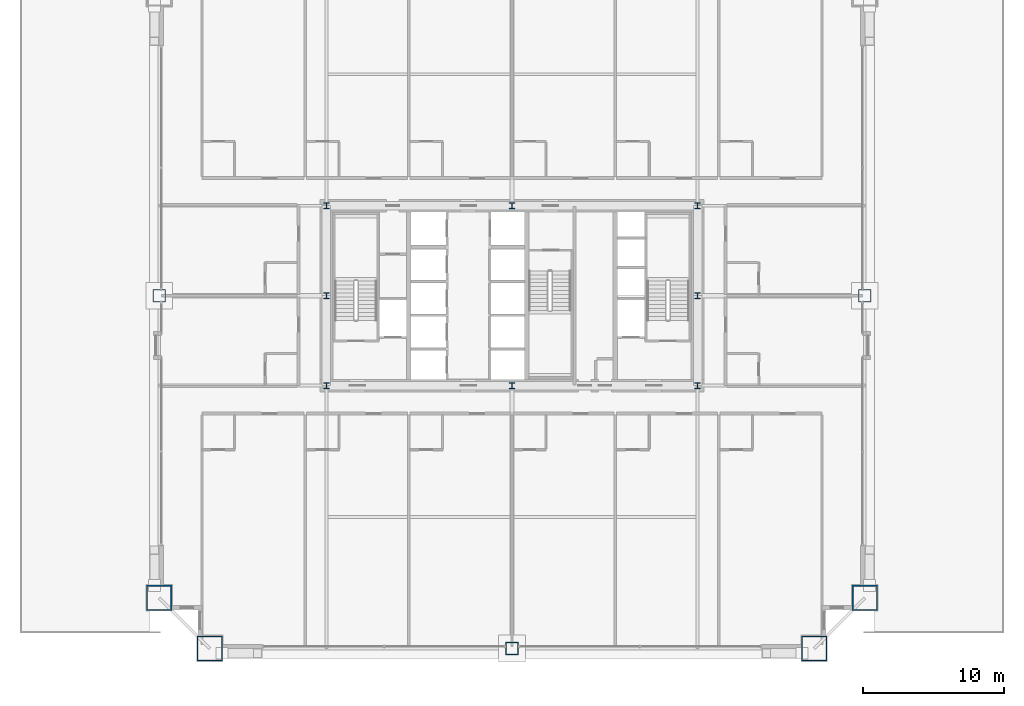
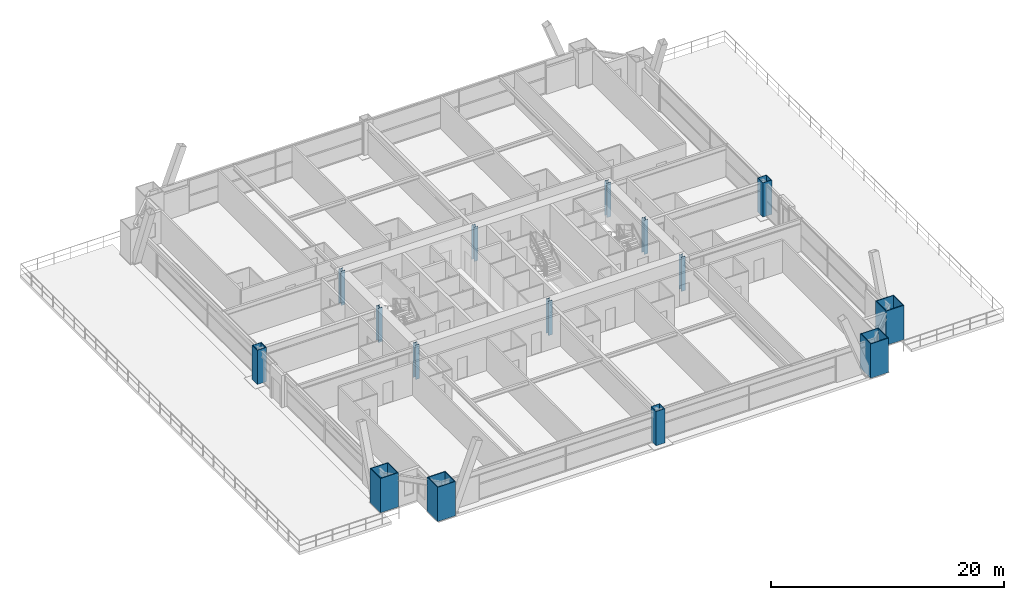
# One storey, part 1 of 45: 15 columns.
"""IFC4 building model written with IfcOpenShell, lengths in metres."""

from ifc_helpers import new_model, si_unit, direction, frame, origin, origin_2d, place, context, subcontext, project, spatial, hollow_rectangle, i_section, extrude, source, transform, mapped, material, material_profile, profile_set, type_object, element, save


model = new_model("IFC4")

# Units and contexts
model_context = context("Model", 3, precision=1e-05, world=origin(), true_north=direction((0.0, 1.0)))
body_context = subcontext(model_context, "Body", "Model", "MODEL_VIEW")
ifc_project = project(units=[si_unit("LENGTHUNIT", "METRE"), si_unit("AREAUNIT", "SQUARE_METRE"), si_unit("VOLUMEUNIT", "CUBIC_METRE"), si_unit("PLANEANGLEUNIT", "RADIAN"), si_unit("MASSUNIT", "GRAM", prefix="KILO"), si_unit("THERMODYNAMICTEMPERATUREUNIT", "KELVIN"), si_unit("POWERUNIT", "WATT")], contexts=[model_context])

# Site, building, storey
site_placement = place(None, origin())
site = spatial("IfcSite", under=ifc_project, at=site_placement, CompositionType="ELEMENT")
building_placement = place(site_placement, origin())
building = spatial("IfcBuilding", under=site, at=building_placement, Name="Yuzanri Waterfront Tower", CompositionType="ELEMENT")
storey_placement = place(building_placement, frame((0.0, 0.0, 30.60009765625)))
storey = spatial("IfcBuildingStorey", under=building, at=storey_placement, Name="L07", CompositionType="ELEMENT", Elevation=30.60009765625)

# Columns
ifc_material_1 = material(Name="Steel Q355B", Category="steel")
ifc_material_profile_1 = material_profile(ifc_material_1, i_section(OverallWidth=0.406982421875, OverallDepth=0.427978515625, WebThickness=0.02001953125, FlangeThickness=0.034912109375, at=origin_2d()), Name="HW 428x407x20x35")
ifc_profile_set_1 = profile_set([ifc_material_profile_1], Name="Steel Q355B")
column_type_1 = type_object("IfcColumnType", Name="Core Post Q355B HW 428x407x20x35", PredefinedType="COLUMN", material=ifc_profile_set_1)
shared_shape_1 = source(origin(), body_context, "Body", "SweptSolid", [
    extrude(i_section(OverallWidth=0.406982421875, OverallDepth=0.427978515625, WebThickness=0.02001953125, FlangeThickness=0.034912109375, at=origin_2d()), origin(), (0.0, 0.0, 1.0), 3.599853515625),
])
for number, where, z_axis, x_axis, name in (
    (1, (23.800048828125, 19.39990234375, 0.0), (0.0, 0.0, 1.0), (1.0, 0.0, 0.0), "L07 Core Boundary Column CP1"),
    (2, (37.0, 19.39990234375, 0.0), (0.0, 0.0, 1.0), (1.0, 0.0, 0.0), "L07 Core Boundary Column CP2"),
    (3, (50.199951171875, 19.39990234375, 0.0), (0.0, 0.0, 1.0), (1.0, 0.0, 0.0), "L07 Core Boundary Column CP3"),
    (4, (23.800048828125, 25.800048828125, 0.0), (0.0, 0.0, 1.0), (1.0, 0.0, 0.0), "L07 Core Boundary Column CP4"),
    (5, (50.199951171875, 25.800048828125, 0.0), (0.0, 0.0, 1.0), (1.0, 0.0, 0.0), "L07 Core Boundary Column CP5"),
    (6, (23.800048828125, 32.199951171875, 0.0), (0.0, 0.0, 1.0), (1.0, 0.0, 0.0), "L07 Core Boundary Column CP6"),
    (7, (37.0, 32.199951171875, 0.0), (0.0, 0.0, 1.0), (1.0, 0.0, 0.0), "L07 Core Boundary Column CP7"),
    (8, (50.199951171875, 32.199951171875, 0.0), (0.0, 0.0, 1.0), (1.0, 0.0, 0.0), "L07 Core Boundary Column CP8"),
):
    element("IfcColumn", number, at=place(storey_placement, frame(where, z_axis=z_axis, x_axis=x_axis)), inside=storey, type_object=column_type_1, Name=name, PredefinedType="COLUMN", context=body_context, shape_type="MappedRepresentation", body=[
        mapped(shared_shape_1, transform((0.0, 0.0, 0.0), scale=1.0)),
    ])
ifc_material_2 = material(Name="Steel Q420GJC", Category="steel")
ifc_material_profile_2 = material_profile(ifc_material_2, hollow_rectangle(XDim=1.800048828125, YDim=1.800048828125, WallThickness=0.080078125, at=origin_2d()), Name="RHS 1800x1800x80")
ifc_profile_set_2 = profile_set([ifc_material_profile_2], Name="Steel Q420GJC")
column_type_2 = type_object("IfcColumnType", Name="Mega Column Q420GJC RHS 1800x1800x80", PredefinedType="COLUMN", material=ifc_profile_set_2)
shared_shape_2 = source(origin(), body_context, "Body", "SweptSolid", [
    extrude(hollow_rectangle(XDim=1.800048828125, YDim=1.800048828125, WallThickness=0.080078125, at=origin_2d()), origin(), (0.0, 0.0, 1.0), 3.599853515625),
])
for number, where, z_axis, x_axis, name in (
    (9, (15.5, 0.699951171875, 0.0), (0.0, 0.0, 1.0), (1.0, 0.0, 0.0), "L07 Perimeter Mega Column S1"),
    (10, (58.5, 0.699951171875, 0.0), (0.0, 0.0, 1.0), (1.0, 0.0, 0.0), "L07 Perimeter Mega Column S3"),
    (11, (11.89990234375, 4.300048828125, 0.0), (0.0, 0.0, 1.0), (1.0, 0.0, 0.0), "L07 Perimeter Mega Column W1"),
    (12, (62.10009765625, 4.300048828125, 0.0), (0.0, 0.0, 1.0), (1.0, 0.0, 0.0), "L07 Perimeter Mega Column E1"),
):
    element("IfcColumn", number, at=place(storey_placement, frame(where, z_axis=z_axis, x_axis=x_axis)), inside=storey, type_object=column_type_2, Name=name, PredefinedType="COLUMN", context=body_context, shape_type="MappedRepresentation", body=[
        mapped(shared_shape_2, transform((0.0, 0.0, 0.0), scale=1.0)),
    ])
ifc_material_3 = material(Name="Steel Q390GJC", Category="steel")
ifc_material_profile_3 = material_profile(ifc_material_3, hollow_rectangle(XDim=0.89990234375, YDim=0.89990234375, WallThickness=0.0419921875, at=origin_2d()), Name="RHS 900x900x42")
ifc_profile_set_3 = profile_set([ifc_material_profile_3], Name="Steel Q390GJC")
column_type_3 = type_object("IfcColumnType", Name="Frame Column Q390GJC RHS 900x900x42", PredefinedType="COLUMN", material=ifc_profile_set_3)
shared_shape_3 = source(origin(), body_context, "Body", "SweptSolid", [
    extrude(hollow_rectangle(XDim=0.89990234375, YDim=0.89990234375, WallThickness=0.0419921875, at=origin_2d()), origin(), (0.0, 0.0, 1.0), 3.599853515625),
])
for number, where, z_axis, x_axis, name in (
    (13, (37.0, 0.699951171875, 0.0), (0.0, 0.0, 1.0), (1.0, 0.0, 0.0), "L07 Perimeter Frame Column S2"),
    (14, (11.89990234375, 25.800048828125, 0.0), (0.0, 0.0, 1.0), (1.0, 0.0, 0.0), "L07 Perimeter Frame Column W2"),
    (15, (62.10009765625, 25.800048828125, 0.0), (0.0, 0.0, 1.0), (1.0, 0.0, 0.0), "L07 Perimeter Frame Column E2"),
):
    element("IfcColumn", number, at=place(storey_placement, frame(where, z_axis=z_axis, x_axis=x_axis)), inside=storey, type_object=column_type_3, Name=name, PredefinedType="COLUMN", context=body_context, shape_type="MappedRepresentation", body=[
        mapped(shared_shape_3, transform((0.0, 0.0, 0.0), scale=1.0)),
    ])

save(model, "model.ifc")
